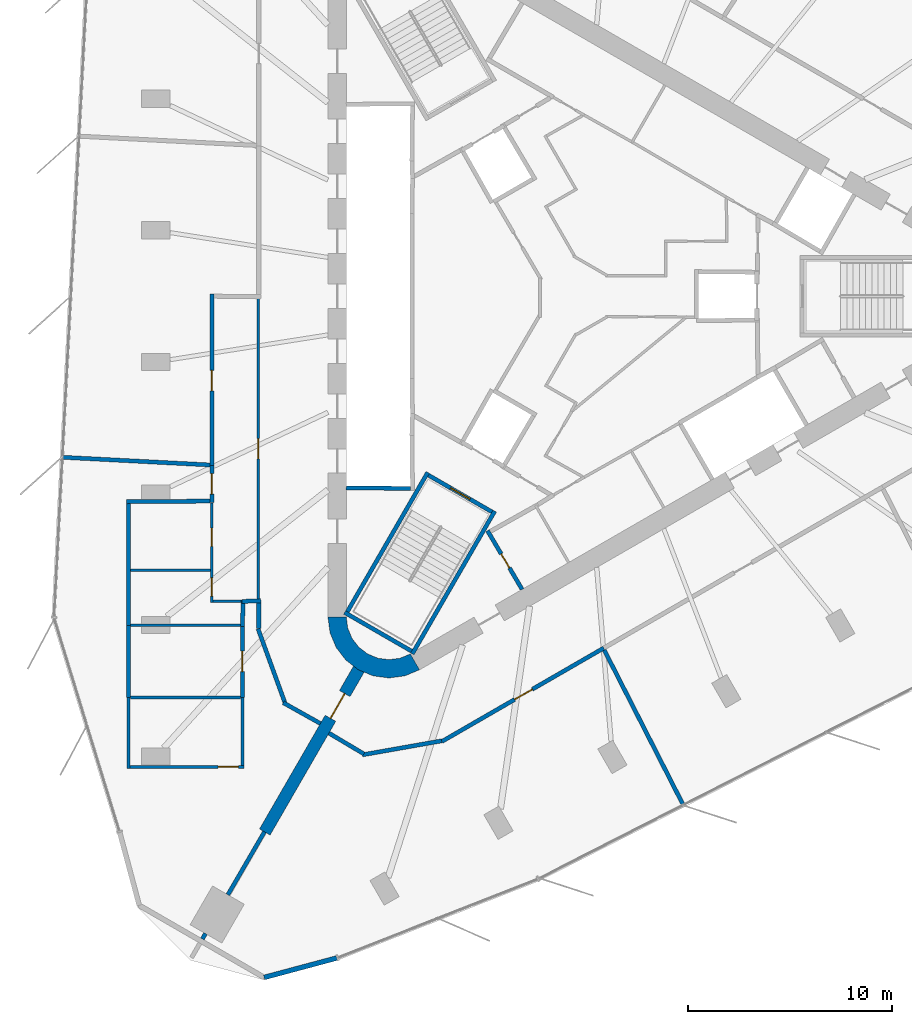
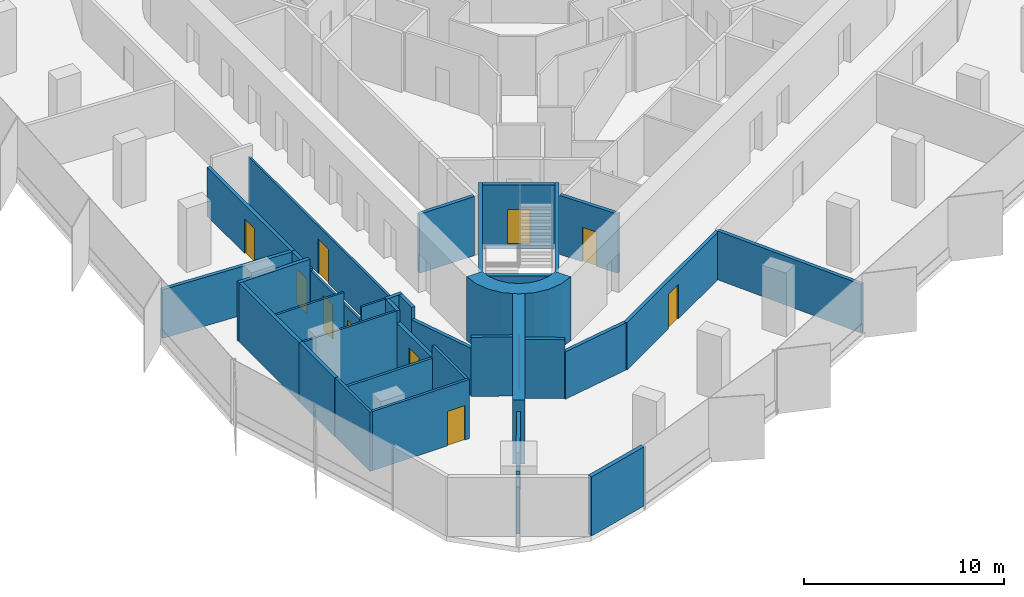
# One storey, part 8 of 13: 36 walls, 11 doors, 11 openings.
"""IFC4 building model written with IfcOpenShell, lengths in metres."""

from ifc_helpers import new_model, si_unit, direction, frame, frame_2d, origin, place, context, subcontext, project, spatial, polyline, rectangle, outline, extrude, material, layer, layer_set, type_object, element, fill, save


model = new_model("IFC4")

# Units and contexts
model_context = context("Model", 3, precision=1e-05, world=origin(), true_north=direction((0.0, 1.0)))
body_context = subcontext(model_context, "Body", "Model", "MODEL_VIEW")
ifc_project = project(units=[si_unit("LENGTHUNIT", "METRE"), si_unit("AREAUNIT", "SQUARE_METRE"), si_unit("VOLUMEUNIT", "CUBIC_METRE"), si_unit("PLANEANGLEUNIT", "RADIAN"), si_unit("MASSUNIT", "GRAM", prefix="KILO")], contexts=[model_context])

# Site, building, storey
site_placement = place(None, origin())
site = spatial("IfcSite", under=ifc_project, at=site_placement, CompositionType="ELEMENT")
building_placement = place(site_placement, origin())
building = spatial("IfcBuilding", under=site, at=building_placement, Name="Tanit Gate Tower", CompositionType="ELEMENT")
storey_placement = place(building_placement, frame((0.0, 0.0, 318.199951171875)))
storey = spatial("IfcBuildingStorey", under=building, at=storey_placement, Name="L71", CompositionType="ELEMENT", Elevation=318.199951171875)

# Wall, opening, door
ifc_material_1 = material(Name="Concrete C40/50", Category="concrete")
ifc_layer_1 = layer(ifc_material_1, 0.60009765625)
ifc_layer_set_1 = layer_set([ifc_layer_1], Name="BUTTRESS FIN 600 C40/50")
wall_type_1 = type_object("IfcWallType", Name="BUTTRESS FIN 600 C40/50", PredefinedType="SHEAR", material=ifc_layer_set_1)
wall_1_placement = place(storey_placement, frame((-10.574951171875, -18.31640625, 0.0), z_axis=(0.0, 0.0, 1.0), x_axis=(-0.500009446655, -0.866019949687, 0.0)))
wall_1 = element("IfcWall", 1, at=wall_1_placement, inside=storey, type_object=wall_type_1, Name="BUTTRESS FIN", PredefinedType="SHEAR", context=body_context, shape_type="SweptSolid", body=[
    extrude(rectangle(XDim=9.253662109375, YDim=0.60009765625, at=frame_2d((4.626953125, 0.0))), origin(), (0.0, 0.0, 1.0), 3.900146484375),
])
opening_1_placement = place(wall_1_placement, frame((1.39990234375, 0.0, 0.0)))
opening_1 = element("IfcOpeningElement", 2, at=opening_1_placement, cuts=wall_1, Name="Opening P14-S19-F-SW-1", PredefinedType="OPENING", context=body_context, shape_type="SweptSolid", body=[
    extrude(rectangle(XDim=1.39990234375, YDim=2.39990234375, at=frame_2d((0.699951171875, 1.199951171875))), frame((0.0, 0.31005859375, 0.0), z_axis=(0.0, -1.0, 0.0), x_axis=(1.0, 0.0, 0.0)), (0.0, 0.0, 1.0), 0.6201171875),
])
ifc_material_2 = material(Name="Timber door leaf", Category="wood")
door_type_1 = type_object("IfcDoorType", Name="INT-DOOR-FIN-PAIR-1400", OperationType="NOTDEFINED", PredefinedType="NOTDEFINED", material=ifc_material_2)
door_1_placement = place(opening_1_placement, origin())
door_1 = element("IfcDoor", 3, at=door_1_placement, inside=storey, type_object=door_type_1, Name="Door P14-S19-F-SW-1", OperationType="DOUBLE_DOOR_SINGLE_SWING", OverallHeight=2.39990234375, OverallWidth=1.39990234375, PredefinedType="NOTDEFINED", context=body_context, shape_type="SweptSolid", body=[
    extrude(rectangle(XDim=1.39990234375, YDim=2.39990234375, at=frame_2d((0.699951171875, 1.199951171875))), frame((0.0, 0.02490234375, 0.0), z_axis=(0.0, -1.0, 0.0), x_axis=(1.0, 0.0, 0.0)), (0.0, 0.0, 1.0), 0.050048828125),
])
fill(opening_1, door_1)

# Walls
ifc_material_3 = material(Name="Concrete C40/50", Category="concrete")
ifc_layer_2 = layer(ifc_material_3, 0.89990234375)
ifc_layer_set_2 = layer_set([ifc_layer_2], Name="CORE WALL 900 C40/50")
wall_type_2 = type_object("IfcWallType", Name="CORE WALL 900 C40/50", PredefinedType="SHEAR", material=ifc_layer_set_2)
wall_2_placement = place(storey_placement, origin())
element("IfcWall", 4, at=wall_2_placement, inside=storey, type_object=wall_type_2, Name="CORE WALL CORNER", PredefinedType="SHEAR", context=body_context, shape_type="SweptSolid", body=[
    extrude(outline(polyline([(-12.10009765625, -15.76171875), (-11.997802734375, -16.5380859375), (-11.697998046875, -17.26171875), (-11.22119140625, -17.883056640625), (-10.60009765625, -18.359619140625), (-9.87646484375, -18.659423828125), (-9.10009765625, -18.76171875), (-8.323486328125, -18.659423828125), (-7.60009765625, -18.359619140625), (-8.050048828125, -17.580322265625), (-8.556396484375, -17.7900390625), (-9.10009765625, -17.86181640625), (-9.6435546875, -17.7900390625), (-10.14990234375, -17.580322265625), (-10.5849609375, -17.24658203125), (-10.918701171875, -16.811767578125), (-11.12841796875, -16.30517578125), (-11.199951171875, -15.76171875), (-12.10009765625, -15.76171875)])), origin(), (0.0, 0.0, 1.0), 3.900146484375),
])
ifc_material_4 = material(Name="Concrete C30/37 with bronze anodised aluminium cladding", Category="concrete")
ifc_layer_3 = layer(ifc_material_4, 0.239990234375)
ifc_layer_set_3 = layer_set([ifc_layer_3], Name="Facade wall bronze clad 240")
wall_type_3 = type_object("IfcWallType", Name="Facade wall bronze clad 240", PredefinedType="SOLIDWALL", material=ifc_layer_set_3)
wall_3_placement = place(storey_placement, frame((-15.2333984375, -33.476806640625, 0.0), z_axis=(0.0, 0.0, 1.0), x_axis=(0.965938323568, 0.258772400119, 0.0)))
element("IfcWall", 5, at=wall_3_placement, inside=storey, type_object=wall_type_3, Name="Bronze-clad facade wall L71 SW.arc3", PredefinedType="SOLIDWALL", context=body_context, shape_type="SweptSolid", body=[
    extrude(rectangle(XDim=3.696533203125, YDim=0.239990234375, at=frame_2d((1.84814453125, 0.0))), origin(), (0.0, 0.0, 1.0), 3.60009765625),
])

# Wall, opening, door
ifc_material_5 = material(Name="Fire-rated gypsum board partition")
ifc_layer_4 = layer(ifc_material_5, 0.199951171875)
ifc_layer_set_4 = layer_set([ifc_layer_4], Name="INT-WALL-COMPARTMENT")
wall_type_4 = type_object("IfcWallType", Name="INT-WALL-COMPARTMENT", PredefinedType="PARTITIONING", material=ifc_layer_set_4)
wall_4_placement = place(storey_placement, frame((-4.259765625, -11.523681640625, 0.0), z_axis=(0.0, 0.0, 1.0), x_axis=(0.507997497166, -0.861358544901, 0.0)))
wall_4 = element("IfcWall", 6, at=wall_4_placement, inside=storey, type_object=wall_type_4, Name="Wall Compartment W053", PredefinedType="PARTITIONING", context=body_context, shape_type="SweptSolid", body=[
    extrude(rectangle(XDim=3.350341796875, YDim=0.199951171875, at=frame_2d((1.67529296875, 0.0))), origin(), (0.0, 0.0, 1.0), 3.60009765625),
])
opening_2_placement = place(wall_4_placement, frame((1.3251953125, 0.0, 0.0)))
opening_2 = element("IfcOpeningElement", 7, at=opening_2_placement, cuts=wall_4, Name="Opening R08-S19-16", PredefinedType="OPENING", context=body_context, shape_type="SweptSolid", body=[
    extrude(rectangle(XDim=0.800048828125, YDim=2.10009765625, at=frame_2d((0.39990234375, 1.050048828125))), frame((0.0, 0.10986328125, 0.0), z_axis=(0.0, -1.0, 0.0), x_axis=(1.0, 0.0, 0.0)), (0.0, 0.0, 1.0), 0.219970703125),
])
ifc_material_6 = material(Name="Timber door leaf", Category="wood")
door_type_2 = type_object("IfcDoorType", Name="INT-DOOR-RISER-800", OperationType="NOTDEFINED", PredefinedType="USERDEFINED", material=ifc_material_6)
door_2_placement = place(opening_2_placement, origin())
door_2 = element("IfcDoor", 8, at=door_2_placement, inside=storey, type_object=door_type_2, Name="Door R08-S19-16", ObjectType="FIRE DOOR", OperationType="SINGLE_SWING_LEFT", OverallHeight=2.10009765625, OverallWidth=0.800048828125, PredefinedType="USERDEFINED", context=body_context, shape_type="SweptSolid", body=[
    extrude(rectangle(XDim=0.800048828125, YDim=2.10009765625, at=frame_2d((0.39990234375, 1.050048828125))), frame((0.0, 0.02490234375, 0.0), z_axis=(0.0, -1.0, 0.0), x_axis=(1.0, 0.0, 0.0)), (0.0, 0.0, 1.0), 0.050048828125),
])
fill(opening_2, door_2)

wall_5_placement = place(storey_placement, frame((-17.800048828125, 0.10009765625, 0.0), z_axis=(0.0, 0.0, 1.0), x_axis=(0.0, -1.0, 0.0)))
wall_5 = element("IfcWall", 9, at=wall_5_placement, inside=storey, type_object=wall_type_4, Name="Wall Compartment W092", PredefinedType="PARTITIONING", context=body_context, shape_type="SweptSolid", body=[
    extrude(rectangle(XDim=8.422607421875, YDim=0.199951171875, at=frame_2d((4.21142578125, 0.0))), origin(), (0.0, 0.0, 1.0), 2.969970703125),
])
opening_3_placement = place(wall_5_placement, frame((3.75, 0.0, 0.0)))
opening_3 = element("IfcOpeningElement", 10, at=opening_3_placement, cuts=wall_5, Name="Opening F10-S19-26", PredefinedType="OPENING", context=body_context, shape_type="SweptSolid", body=[
    extrude(rectangle(XDim=1.0, YDim=2.10009765625, at=frame_2d((0.5, 1.050048828125))), frame((0.0, 0.10986328125, 0.0), z_axis=(0.0, -1.0, 0.0), x_axis=(1.0, 0.0, 0.0)), (0.0, 0.0, 1.0), 0.219970703125),
])
ifc_material_7 = material(Name="Fire-rated steel door leaf", Category="steel")
door_type_3 = type_object("IfcDoorType", Name="INT-DOOR-FIRE-1000", OperationType="NOTDEFINED", PredefinedType="USERDEFINED", material=ifc_material_7)
door_3_placement = place(opening_3_placement, origin())
door_3 = element("IfcDoor", 11, at=door_3_placement, inside=storey, type_object=door_type_3, Name="Door F10-S19-26", ObjectType="FIRE DOOR", OperationType="SINGLE_SWING_RIGHT", OverallHeight=2.10009765625, OverallWidth=1.0, PredefinedType="USERDEFINED", context=body_context, shape_type="SweptSolid", body=[
    extrude(rectangle(XDim=1.0, YDim=2.10009765625, at=frame_2d((0.5, 1.050048828125))), frame((0.0, 0.02490234375, 0.0), z_axis=(0.0, -1.0, 0.0), x_axis=(1.0, 0.0, 0.0)), (0.0, 0.0, 1.0), 0.050048828125),
])
fill(opening_3, door_3)

wall_6_placement = place(storey_placement, frame((-17.800048828125, -8.322509765625, 0.0), z_axis=(0.0, 0.0, 1.0), x_axis=(0.0, -1.0, 0.0)))
wall_6 = element("IfcWall", 12, at=wall_6_placement, inside=storey, type_object=wall_type_4, Name="Wall Compartment W090", PredefinedType="PARTITIONING", context=body_context, shape_type="SweptSolid", body=[
    extrude(rectangle(XDim=1.807373046875, YDim=0.199951171875, at=frame_2d((0.90380859375, 0.0))), origin(), (0.0, 0.0, 1.0), 2.969970703125),
])
opening_4_placement = place(wall_6_placement, frame((0.40380859375, 0.0, 0.0)))
opening_4 = element("IfcOpeningElement", 13, at=opening_4_placement, cuts=wall_6, Name="Opening F10-S19-25", PredefinedType="OPENING", context=body_context, shape_type="SweptSolid", body=[
    extrude(rectangle(XDim=1.0, YDim=2.10009765625, at=frame_2d((0.5, 1.050048828125))), frame((0.0, 0.10986328125, 0.0), z_axis=(0.0, -1.0, 0.0), x_axis=(1.0, 0.0, 0.0)), (0.0, 0.0, 1.0), 0.219970703125),
])
door_4_placement = place(opening_4_placement, origin())
door_4 = element("IfcDoor", 14, at=door_4_placement, inside=storey, type_object=door_type_3, Name="Door F10-S19-25", ObjectType="FIRE DOOR", OperationType="SINGLE_SWING_RIGHT", OverallHeight=2.10009765625, OverallWidth=1.0, PredefinedType="USERDEFINED", context=body_context, shape_type="SweptSolid", body=[
    extrude(rectangle(XDim=1.0, YDim=2.10009765625, at=frame_2d((0.5, 1.050048828125))), frame((0.0, 0.02490234375, 0.0), z_axis=(0.0, -1.0, 0.0), x_axis=(1.0, 0.0, 0.0)), (0.0, 0.0, 1.0), 0.050048828125),
])
fill(opening_4, door_4)

# Walls
wall_7_placement = place(storey_placement, frame((-16.330078125, -15.0, 0.0), z_axis=(0.0, 0.0, 1.0), x_axis=(0.999344339616, 0.036206227059, 0.0)))
element("IfcWall", 15, at=wall_7_placement, inside=storey, type_object=wall_type_4, Name="Wall Compartment W091", PredefinedType="PARTITIONING", context=body_context, shape_type="SweptSolid", body=[
    extrude(rectangle(XDim=0.930419921875, YDim=0.199951171875, at=frame_2d((0.46533203125, 0.0))), origin(), (0.0, 0.0, 1.0), 3.60009765625),
])
wall_8_placement = place(storey_placement, frame((-14.293212890625, -19.9775390625, 0.0), z_axis=(0.0, 0.0, 1.0), x_axis=(0.872510000486, -0.48859625362, 0.0)))
element("IfcWall", 16, at=wall_8_placement, inside=storey, type_object=wall_type_4, Name="Wall Compartment W097", PredefinedType="PARTITIONING", context=body_context, shape_type="SweptSolid", body=[
    extrude(rectangle(XDim=2.089599609375, YDim=0.199951171875, at=frame_2d((1.044921875, 0.0))), origin(), (0.0, 0.0, 1.0), 3.60009765625),
])
wall_9_placement = place(storey_placement, frame((-15.5341796875, -16.346435546875, 0.0), z_axis=(0.0, 0.0, 1.0), x_axis=(0.342001008711, -0.939699584996, 0.0)))
element("IfcWall", 17, at=wall_9_placement, inside=storey, type_object=wall_type_4, Name="Wall Compartment W098", PredefinedType="PARTITIONING", context=body_context, shape_type="SweptSolid", body=[
    extrude(rectangle(XDim=3.87548828125, YDim=0.199951171875, at=frame_2d((1.937744140625, 0.0))), origin(), (0.0, 0.0, 1.0), 2.880126953125),
])
wall_10_placement = place(storey_placement, frame((-15.5, -15.070068359375, 0.0), z_axis=(0.0, 0.0, 1.0), x_axis=(0.0, -1.0, 0.0)))
element("IfcWall", 18, at=wall_10_placement, inside=storey, type_object=wall_type_4, Name="Wall Compartment W099", PredefinedType="PARTITIONING", context=body_context, shape_type="SweptSolid", body=[
    extrude(rectangle(XDim=1.2705078125, YDim=0.199951171875, at=frame_2d((0.63525390625, 0.0))), origin(), (0.0, 0.0, 1.0), 3.60009765625),
])

# Wall, opening, door
wall_11_placement = place(storey_placement, frame((-6.505126953125, -21.884521484375, 0.0), z_axis=(0.0, 0.0, 1.0), x_axis=(0.8660236234, 0.500003083703, 0.0)))
wall_11 = element("IfcWall", 19, at=wall_11_placement, inside=storey, type_object=wall_type_4, Name="Wall Compartment W114", PredefinedType="PARTITIONING", context=body_context, shape_type="SweptSolid", body=[
    extrude(rectangle(XDim=9.1875, YDim=0.199951171875, at=frame_2d((4.59375, 0.0))), origin(), (0.0, 0.0, 1.0), 2.880126953125),
])
opening_5_placement = place(wall_11_placement, frame((4.13232421875, 0.0, 0.0)))
opening_5 = element("IfcOpeningElement", 20, at=opening_5_placement, cuts=wall_11, Name="Opening F10-S19-32", PredefinedType="OPENING", context=body_context, shape_type="SweptSolid", body=[
    extrude(rectangle(XDim=1.0, YDim=2.10009765625, at=frame_2d((0.5, 1.050048828125))), frame((0.0, 0.10986328125, 0.0), z_axis=(0.0, -1.0, 0.0), x_axis=(1.0, 0.0, 0.0)), (0.0, 0.0, 1.0), 0.219970703125),
])
door_5_placement = place(opening_5_placement, origin())
door_5 = element("IfcDoor", 21, at=door_5_placement, inside=storey, type_object=door_type_3, Name="Door F10-S19-32", ObjectType="FIRE DOOR", OperationType="SINGLE_SWING_LEFT", OverallHeight=2.10009765625, OverallWidth=1.0, PredefinedType="USERDEFINED", context=body_context, shape_type="SweptSolid", body=[
    extrude(rectangle(XDim=1.0, YDim=2.10009765625, at=frame_2d((0.5, 1.050048828125))), frame((0.0, 0.02490234375, 0.0), z_axis=(0.0, -1.0, 0.0), x_axis=(1.0, 0.0, 0.0)), (0.0, 0.0, 1.0), 0.050048828125),
])
fill(opening_5, door_5)

# Walls
wall_12_placement = place(storey_placement, frame((-10.405517578125, -22.53759765625, 0.0), z_axis=(0.0, 0.0, 1.0), x_axis=(0.98480284819, 0.173675991999, 0.0)))
element("IfcWall", 22, at=wall_12_placement, inside=storey, type_object=wall_type_4, Name="Wall Compartment W115", PredefinedType="PARTITIONING", context=body_context, shape_type="SweptSolid", body=[
    extrude(rectangle(XDim=3.94873046875, YDim=0.199951171875, at=frame_2d((1.974365234375, 0.0))), origin(), (0.0, 0.0, 1.0), 2.880126953125),
])
wall_13_placement = place(storey_placement, frame((-12.05029296875, -21.4716796875, 0.0), z_axis=(0.0, 0.0, 1.0), x_axis=(0.859577966481, -0.511004617924, 0.0)))
element("IfcWall", 23, at=wall_13_placement, inside=storey, type_object=wall_type_4, Name="Wall Compartment W116", PredefinedType="PARTITIONING", context=body_context, shape_type="SweptSolid", body=[
    extrude(rectangle(XDim=1.99755859375, YDim=0.199951171875, at=frame_2d((0.998779296875, 0.0))), origin(), (0.0, 0.0, 1.0), 3.60009765625),
])
wall_14_placement = place(storey_placement, frame((-25.14794921875, -7.917236328125, 0.0), z_axis=(0.0, 0.0, 1.0), x_axis=(0.998646853221, -0.052004447423, 0.0)))
element("IfcWall", 24, at=wall_14_placement, inside=storey, type_object=wall_type_4, Name="Wall Compartment W117", PredefinedType="PARTITIONING", context=body_context, shape_type="SweptSolid", body=[
    extrude(rectangle(XDim=7.2578125, YDim=0.199951171875, at=frame_2d((3.62890625, 0.0))), origin(), (0.0, 0.0, 1.0), 2.969970703125),
])
wall_15_placement = place(storey_placement, frame((-18.117431640625, -31.3203125, 0.0), z_axis=(0.0, 0.0, 1.0), x_axis=(-0.500091252813, -0.865972712538, 0.0)))
element("IfcWall", 25, at=wall_15_placement, inside=storey, type_object=wall_type_4, Name="Wall Compartment W118", PredefinedType="PARTITIONING", context=body_context, shape_type="SweptSolid", body=[
    extrude(rectangle(XDim=0.3056640625, YDim=0.199951171875, at=frame_2d((0.15283203125, 0.0))), origin(), (0.0, 0.0, 1.0), 3.60009765625),
])
wall_16_placement = place(storey_placement, frame((-15.2177734375, -26.321044921875, 0.0), z_axis=(0.0, 0.0, 1.0), x_axis=(-0.50277219784, -0.864418947663, 0.0)))
element("IfcWall", 26, at=wall_16_placement, inside=storey, type_object=wall_type_4, Name="Wall Compartment W119", PredefinedType="PARTITIONING", context=body_context, shape_type="SweptSolid", body=[
    extrude(rectangle(XDim=3.579345703125, YDim=0.199951171875, at=frame_2d((1.78955078125, 0.0))), origin(), (0.0, 0.0, 1.0), 3.170166015625),
])
wall_17_placement = place(storey_placement, frame((-17.89990234375, -10.07080078125, 0.0), z_axis=(0.0, 0.0, 1.0), x_axis=(-0.999973048838, -0.007341770728, 0.0)))
element("IfcWall", 27, at=wall_17_placement, inside=storey, type_object=wall_type_4, Name="Wall Compartment W120", PredefinedType="PARTITIONING", context=body_context, shape_type="SweptSolid", body=[
    extrude(rectangle(XDim=4.090087890625, YDim=0.199951171875, at=frame_2d((2.044921875, 0.0))), origin(), (0.0, 0.0, 1.0), 3.60009765625),
])
wall_18_placement = place(storey_placement, frame((-21.889892578125, -10.199951171875, 0.0), z_axis=(0.0, 0.0, 1.0), x_axis=(0.0, -1.0, 0.0)))
element("IfcWall", 28, at=wall_18_placement, inside=storey, type_object=wall_type_4, Name="Wall Compartment W121", PredefinedType="PARTITIONING", context=body_context, shape_type="SweptSolid", body=[
    extrude(rectangle(XDim=5.97509765625, YDim=0.199951171875, at=frame_2d((2.987548828125, 0.0))), origin(), (0.0, 0.0, 1.0), 3.60009765625),
])
wall_19_placement = place(storey_placement, frame((-21.889892578125, -16.175048828125, 0.0), z_axis=(0.0, 0.0, 1.0), x_axis=(0.0, -1.0, 0.0)))
element("IfcWall", 29, at=wall_19_placement, inside=storey, type_object=wall_type_4, Name="Wall Compartment W124", PredefinedType="PARTITIONING", context=body_context, shape_type="SweptSolid", body=[
    extrude(rectangle(XDim=3.540283203125, YDim=0.199951171875, at=frame_2d((1.77001953125, 0.0))), origin(), (0.0, 0.0, 1.0), 3.60009765625),
])
wall_20_placement = place(storey_placement, frame((-16.2685546875, -14.93994140625, 0.0), z_axis=(0.0, 0.0, 1.0), x_axis=(-0.024314076851, -0.999704369135, 0.0)))
element("IfcWall", 30, at=wall_20_placement, inside=storey, type_object=wall_type_4, Name="Wall Compartment W123", PredefinedType="PARTITIONING", context=body_context, shape_type="SweptSolid", body=[
    extrude(rectangle(XDim=1.29541015625, YDim=0.199951171875, at=frame_2d((0.647705078125, 0.0))), origin(), (0.0, 0.0, 1.0), 3.60009765625),
])

# Wall, opening, door
wall_21_placement = place(storey_placement, frame((-16.300048828125, -16.114990234375, 0.0), z_axis=(0.0, 0.0, 1.0), x_axis=(0.0, -1.0, 0.0)))
wall_21 = element("IfcWall", 31, at=wall_21_placement, inside=storey, type_object=wall_type_4, Name="Wall Compartment W125", PredefinedType="PARTITIONING", context=body_context, shape_type="SweptSolid", body=[
    extrude(rectangle(XDim=3.600341796875, YDim=0.199951171875, at=frame_2d((1.80029296875, 0.0))), origin(), (0.0, 0.0, 1.0), 2.880126953125),
])
opening_6_placement = place(wall_21_placement, frame((1.330078125, 0.0, 0.0)))
opening_6 = element("IfcOpeningElement", 32, at=opening_6_placement, cuts=wall_21, Name="Opening F10-S19-23", PredefinedType="OPENING", context=body_context, shape_type="SweptSolid", body=[
    extrude(rectangle(XDim=1.0, YDim=2.10009765625, at=frame_2d((0.5, 1.050048828125))), frame((0.0, 0.10986328125, 0.0), z_axis=(0.0, -1.0, 0.0), x_axis=(1.0, 0.0, 0.0)), (0.0, 0.0, 1.0), 0.219970703125),
])
door_6_placement = place(opening_6_placement, origin())
door_6 = element("IfcDoor", 33, at=door_6_placement, inside=storey, type_object=door_type_3, Name="Door F10-S19-23", ObjectType="FIRE DOOR", OperationType="SINGLE_SWING_RIGHT", OverallHeight=2.10009765625, OverallWidth=1.0, PredefinedType="USERDEFINED", context=body_context, shape_type="SweptSolid", body=[
    extrude(rectangle(XDim=1.0, YDim=2.10009765625, at=frame_2d((0.5, 1.050048828125))), frame((0.0, 0.02490234375, 0.0), z_axis=(0.0, -1.0, 0.0), x_axis=(1.0, 0.0, 0.0)), (0.0, 0.0, 1.0), 0.050048828125),
])
fill(opening_6, door_6)

# Wall
wall_22_placement = place(storey_placement, frame((5.35595703125, -24.997314453125, 0.0), z_axis=(0.0, 0.0, 1.0), x_axis=(-0.454291135593, 0.890853278672, 0.0)))
element("IfcWall", 34, at=wall_22_placement, inside=storey, type_object=wall_type_4, Name="Wall Compartment W136", PredefinedType="PARTITIONING", context=body_context, shape_type="SweptSolid", body=[
    extrude(rectangle(XDim=8.537841796875, YDim=0.199951171875, at=frame_2d((4.26904296875, 0.0))), origin(), (0.0, 0.0, 1.0), 2.969970703125),
])

# Wall, opening, door
ifc_material_8 = material(Name="Gypsum board partition")
ifc_layer_5 = layer(ifc_material_8, 0.1201171875)
ifc_layer_set_5 = layer_set([ifc_layer_5], Name="INT-WALL-PARTITION")
wall_type_5 = type_object("IfcWallType", Name="INT-WALL-PARTITION", PredefinedType="PARTITIONING", material=ifc_layer_set_5)
wall_23_placement = place(storey_placement, frame((-15.530029296875, 0.0, 0.0), z_axis=(0.0, 0.0, 1.0), x_axis=(0.0, -1.0, 0.0)))
wall_23 = element("IfcWall", 35, at=wall_23_placement, inside=storey, type_object=wall_type_5, Name="Wall Partition W089", PredefinedType="PARTITIONING", context=body_context, shape_type="SweptSolid", body=[
    extrude(rectangle(XDim=15.0, YDim=0.1201171875, at=frame_2d((7.5, 0.0))), origin(), (0.0, 0.0, 1.0), 2.880126953125),
])
opening_7_placement = place(wall_23_placement, frame((7.0, 0.0, 0.0)))
opening_7 = element("IfcOpeningElement", 36, at=opening_7_placement, cuts=wall_23, Name="Opening D10-S19-20", PredefinedType="OPENING", context=body_context, shape_type="SweptSolid", body=[
    extrude(rectangle(XDim=1.0, YDim=2.10009765625, at=frame_2d((0.5, 1.050048828125))), frame((0.0, 0.070068359375, 0.0), z_axis=(0.0, -1.0, 0.0), x_axis=(1.0, 0.0, 0.0)), (0.0, 0.0, 1.0), 0.14013671875),
])
ifc_material_9 = material(Name="Timber door leaf", Category="wood")
door_type_4 = type_object("IfcDoorType", Name="INT-DOOR-SINGLE-1000", OperationType="NOTDEFINED", PredefinedType="NOTDEFINED", material=ifc_material_9)
door_7_placement = place(opening_7_placement, origin())
door_7 = element("IfcDoor", 37, at=door_7_placement, inside=storey, type_object=door_type_4, Name="Door D10-S19-20", OperationType="SINGLE_SWING_LEFT", OverallHeight=2.10009765625, OverallWidth=1.0, PredefinedType="NOTDEFINED", context=body_context, shape_type="SweptSolid", body=[
    extrude(rectangle(XDim=1.0, YDim=2.10009765625, at=frame_2d((0.5, 1.050048828125))), frame((0.0, 0.02490234375, 0.0), z_axis=(0.0, -1.0, 0.0), x_axis=(1.0, 0.0, 0.0)), (0.0, 0.0, 1.0), 0.050048828125),
])
fill(opening_7, door_7)

# Wall, openings, doors
wall_24_placement = place(storey_placement, frame((-17.800048828125, -10.169921875, 0.0), z_axis=(0.0, 0.0, 1.0), x_axis=(0.0, -1.0, 0.0)))
wall_24 = element("IfcWall", 38, at=wall_24_placement, inside=storey, type_object=wall_type_5, Name="Wall Partition W094", PredefinedType="PARTITIONING", context=body_context, shape_type="SweptSolid", body=[
    extrude(rectangle(XDim=4.89013671875, YDim=0.1201171875, at=frame_2d((2.445068359375, 0.0))), origin(), (0.0, 0.0, 1.0), 2.880126953125),
])
opening_8_placement = place(wall_24_placement, frame((1.226318359375, 0.0, 0.0)))
opening_8 = element("IfcOpeningElement", 39, at=opening_8_placement, cuts=wall_24, Name="Opening D09-S19-21", PredefinedType="OPENING", context=body_context, shape_type="SweptSolid", body=[
    extrude(rectangle(XDim=0.89990234375, YDim=2.10009765625, at=frame_2d((0.449951171875, 1.050048828125))), frame((0.0, 0.070068359375, 0.0), z_axis=(0.0, -1.0, 0.0), x_axis=(1.0, 0.0, 0.0)), (0.0, 0.0, 1.0), 0.14013671875),
])
opening_9_placement = place(wall_24_placement, frame((3.67138671875, 0.0, 0.0)))
opening_9 = element("IfcOpeningElement", 40, at=opening_9_placement, cuts=wall_24, Name="Opening D09-S19-22", PredefinedType="OPENING", context=body_context, shape_type="SweptSolid", body=[
    extrude(rectangle(XDim=0.89990234375, YDim=2.10009765625, at=frame_2d((0.449951171875, 1.050048828125))), frame((0.0, 0.070068359375, 0.0), z_axis=(0.0, -1.0, 0.0), x_axis=(1.0, 0.0, 0.0)), (0.0, 0.0, 1.0), 0.14013671875),
])
ifc_material_10 = material(Name="Timber door leaf", Category="wood")
door_type_5 = type_object("IfcDoorType", Name="INT-DOOR-SINGLE-900", OperationType="NOTDEFINED", PredefinedType="NOTDEFINED", material=ifc_material_10)
door_8_placement = place(opening_8_placement, origin())
door_8 = element("IfcDoor", 41, at=door_8_placement, inside=storey, type_object=door_type_5, Name="Door D09-S19-21", OperationType="SINGLE_SWING_LEFT", OverallHeight=2.10009765625, OverallWidth=0.89990234375, PredefinedType="NOTDEFINED", context=body_context, shape_type="SweptSolid", body=[
    extrude(rectangle(XDim=0.89990234375, YDim=2.10009765625, at=frame_2d((0.449951171875, 1.050048828125))), frame((0.0, 0.02490234375, 0.0), z_axis=(0.0, -1.0, 0.0), x_axis=(1.0, 0.0, 0.0)), (0.0, 0.0, 1.0), 0.050048828125),
])
fill(opening_8, door_8)
door_9_placement = place(opening_9_placement, origin())
door_9 = element("IfcDoor", 42, at=door_9_placement, inside=storey, type_object=door_type_5, Name="Door D09-S19-22", OperationType="SINGLE_SWING_LEFT", OverallHeight=2.10009765625, OverallWidth=0.89990234375, PredefinedType="NOTDEFINED", context=body_context, shape_type="SweptSolid", body=[
    extrude(rectangle(XDim=0.89990234375, YDim=2.10009765625, at=frame_2d((0.449951171875, 1.050048828125))), frame((0.0, 0.02490234375, 0.0), z_axis=(0.0, -1.0, 0.0), x_axis=(1.0, 0.0, 0.0)), (0.0, 0.0, 1.0), 0.050048828125),
])
fill(opening_9, door_9)

# Walls
wall_25_placement = place(storey_placement, frame((-17.739990234375, -15.0, 0.0), z_axis=(0.0, 0.0, 1.0), x_axis=(1.0, 0.0, 0.0)))
element("IfcWall", 43, at=wall_25_placement, inside=storey, type_object=wall_type_5, Name="Wall Partition W095", PredefinedType="PARTITIONING", context=body_context, shape_type="SweptSolid", body=[
    extrude(rectangle(XDim=1.369873046875, YDim=0.1201171875, at=frame_2d((0.68505859375, 0.0))), origin(), (0.0, 0.0, 1.0), 3.60009765625),
])
wall_26_placement = place(storey_placement, frame((-21.7900390625, -13.462890625, 0.0), z_axis=(0.0, 0.0, 1.0), x_axis=(1.0, 0.0, 0.0)))
element("IfcWall", 44, at=wall_26_placement, inside=storey, type_object=wall_type_5, Name="Wall Partition W137", PredefinedType="PARTITIONING", context=body_context, shape_type="SweptSolid", body=[
    extrude(rectangle(XDim=3.929931640625, YDim=0.1201171875, at=frame_2d((1.96484375, 0.0))), origin(), (0.0, 0.0, 1.0), 3.60009765625),
])
wall_27_placement = place(storey_placement, frame((-16.39990234375, -16.175048828125, 0.0), z_axis=(0.0, 0.0, 1.0), x_axis=(-1.0, 0.0, 0.0)))
element("IfcWall", 45, at=wall_27_placement, inside=storey, type_object=wall_type_5, Name="Wall Partition W138", PredefinedType="PARTITIONING", context=body_context, shape_type="SweptSolid", body=[
    extrude(rectangle(XDim=5.39013671875, YDim=0.1201171875, at=frame_2d((2.695068359375, 0.0))), origin(), (0.0, 0.0, 1.0), 3.60009765625),
])
ifc_material_11 = material(Name="Fire-rated gypsum board partition")
ifc_layer_6 = layer(ifc_material_11, 0.14990234375)
ifc_layer_set_6 = layer_set([ifc_layer_6], Name="INT-WALL-RISER")
wall_type_6 = type_object("IfcWallType", Name="INT-WALL-RISER", PredefinedType="PLUMBINGWALL", material=ifc_layer_set_6)
wall_28_placement = place(storey_placement, frame((-21.889892578125, -19.71533203125, 0.0), z_axis=(0.0, 0.0, 1.0), x_axis=(0.0, -1.0, 0.0)))
element("IfcWall", 46, at=wall_28_placement, inside=storey, type_object=wall_type_6, Name="Wall Riser W126", PredefinedType="PLUMBINGWALL", context=body_context, shape_type="SweptSolid", body=[
    extrude(rectangle(XDim=3.48974609375, YDim=0.14990234375, at=frame_2d((1.744873046875, 0.0))), origin(), (0.0, 0.0, 1.0), 3.60009765625),
])

# Wall, opening, door
wall_29_placement = place(storey_placement, frame((-21.81494140625, -23.1298828125, 0.0), z_axis=(0.0, 0.0, 1.0), x_axis=(1.0, 0.0, 0.0)))
wall_29 = element("IfcWall", 47, at=wall_29_placement, inside=storey, type_object=wall_type_6, Name="Wall Riser W127", PredefinedType="PLUMBINGWALL", context=body_context, shape_type="SweptSolid", body=[
    extrude(rectangle(XDim=5.58984375, YDim=0.14990234375, at=frame_2d((2.794921875, 0.0))), origin(), (0.0, 0.0, 1.0), 3.60009765625),
])
opening_10_placement = place(wall_29_placement, frame((4.31494140625, 0.0, 0.0)))
opening_10 = element("IfcOpeningElement", 48, at=opening_10_placement, cuts=wall_29, Name="Opening F10-S19-24", PredefinedType="OPENING", context=body_context, shape_type="SweptSolid", body=[
    extrude(rectangle(XDim=1.0, YDim=2.10009765625, at=frame_2d((0.5, 1.050048828125))), frame((0.0, 0.0849609375, 0.0), z_axis=(0.0, -1.0, 0.0), x_axis=(1.0, 0.0, 0.0)), (0.0, 0.0, 1.0), 0.169921875),
])
door_10_placement = place(opening_10_placement, origin())
door_10 = element("IfcDoor", 49, at=door_10_placement, inside=storey, type_object=door_type_3, Name="Door F10-S19-24", ObjectType="FIRE DOOR", OperationType="SINGLE_SWING_LEFT", OverallHeight=2.10009765625, OverallWidth=1.0, PredefinedType="USERDEFINED", context=body_context, shape_type="SweptSolid", body=[
    extrude(rectangle(XDim=1.0, YDim=2.10009765625, at=frame_2d((0.5, 1.050048828125))), frame((0.0, 0.02490234375, 0.0), z_axis=(0.0, -1.0, 0.0), x_axis=(1.0, 0.0, 0.0)), (0.0, 0.0, 1.0), 0.050048828125),
])
fill(opening_10, door_10)

# Walls
wall_30_placement = place(storey_placement, frame((-16.300048828125, -19.71533203125, 0.0), z_axis=(0.0, 0.0, 1.0), x_axis=(0.0, -1.0, 0.0)))
element("IfcWall", 50, at=wall_30_placement, inside=storey, type_object=wall_type_6, Name="Wall Riser W128", PredefinedType="PLUMBINGWALL", context=body_context, shape_type="SweptSolid", body=[
    extrude(rectangle(XDim=3.339599609375, YDim=0.14990234375, at=frame_2d((1.669921875, 0.0))), origin(), (0.0, 0.0, 1.0), 3.60009765625),
])
wall_31_placement = place(storey_placement, frame((-21.7900390625, -19.722900390625, 0.0), z_axis=(0.0, 0.0, 1.0), x_axis=(1.0, 0.0, 0.0)))
element("IfcWall", 51, at=wall_31_placement, inside=storey, type_object=wall_type_6, Name="Wall Riser W139", PredefinedType="PLUMBINGWALL", context=body_context, shape_type="SweptSolid", body=[
    extrude(rectangle(XDim=5.39013671875, YDim=0.14990234375, at=frame_2d((2.695068359375, 0.0))), origin(), (0.0, 0.0, 1.0), 2.880126953125),
])
ifc_material_12 = material(Name="Gypsum shaft wall system")
ifc_layer_7 = layer(ifc_material_12, 0.199951171875)
ifc_layer_set_7 = layer_set([ifc_layer_7], Name="INT-WALL-SHAFT")
wall_type_7 = type_object("IfcWallType", Name="INT-WALL-SHAFT", PredefinedType="PLUMBINGWALL", material=ifc_layer_set_7)
wall_32_placement = place(storey_placement, frame((-8.050048828125, -9.448974609375, 0.0), z_axis=(0.0, 0.0, 1.0), x_axis=(-0.999957467379, 0.009222983926, 0.0)))
element("IfcWall", 52, at=wall_32_placement, inside=storey, type_object=wall_type_7, Name="Wall Shaft W011", PredefinedType="PLUMBINGWALL", context=body_context, shape_type="SweptSolid", body=[
    extrude(rectangle(XDim=3.150146484375, YDim=0.199951171875, at=frame_2d((1.5751953125, 0.0))), origin(), (0.0, 0.0, 1.0), 3.60009765625),
])
ifc_material_13 = material(Name="Concrete C40/50", Category="concrete")
ifc_layer_8 = layer(ifc_material_13, 0.199951171875)
ifc_layer_set_8 = layer_set([ifc_layer_8], Name="INT-WALL-STAIR")
wall_type_8 = type_object("IfcWallType", Name="INT-WALL-STAIR", PredefinedType="SHEAR", material=ifc_layer_set_8)
wall_33_placement = place(storey_placement, frame((-3.904541015625, -10.56298828125, -0.300048828125), z_axis=(0.0, 0.0, 1.0), x_axis=(-0.500012932018, -0.866017937352, 0.0)))
element("IfcWall", 53, at=wall_33_placement, inside=storey, type_object=wall_type_8, Name="Wall Stair W036", PredefinedType="SHEAR", context=body_context, shape_type="SweptSolid", body=[
    extrude(rectangle(XDim=8.099853515625, YDim=0.199951171875, at=frame_2d((4.0498046875, 0.0))), origin(), (0.0, 0.0, 1.0), 3.900146484375),
])
wall_34_placement = place(storey_placement, frame((-11.281982421875, -15.541015625, -0.300048828125), z_axis=(0.0, 0.0, 1.0), x_axis=(0.866000483506, -0.500043160704, 0.0)))
element("IfcWall", 54, at=wall_34_placement, inside=storey, type_object=wall_type_8, Name="Wall Stair W037", PredefinedType="SHEAR", context=body_context, shape_type="SweptSolid", body=[
    extrude(rectangle(XDim=3.800048828125, YDim=0.199951171875, at=frame_2d((1.89990234375, 0.0))), origin(), (0.0, 0.0, 1.0), 3.900146484375),
])
wall_35_placement = place(storey_placement, frame((-7.195556640625, -8.662841796875, -0.300048828125), z_axis=(0.0, 0.0, 1.0), x_axis=(-0.499997992926, -0.866026562566, 0.0)))
element("IfcWall", 55, at=wall_35_placement, inside=storey, type_object=wall_type_8, Name="Wall Stair W038", PredefinedType="SHEAR", context=body_context, shape_type="SweptSolid", body=[
    extrude(rectangle(XDim=7.89990234375, YDim=0.199951171875, at=frame_2d((3.949951171875, 0.0))), origin(), (0.0, 0.0, 1.0), 3.900146484375),
])

# Wall, opening, door
wall_36_placement = place(storey_placement, frame((-4.041259765625, -10.599365234375, -0.300048828125), z_axis=(0.0, 0.0, 1.0), x_axis=(-0.866047807691, 0.499961193289, 0.0)))
wall_36 = element("IfcWall", 56, at=wall_36_placement, inside=storey, type_object=wall_type_8, Name="Wall Stair W039", PredefinedType="SHEAR", context=body_context, shape_type="SweptSolid", body=[
    extrude(rectangle(XDim=3.599853515625, YDim=0.199951171875, at=frame_2d((1.7998046875, 0.0))), origin(), (0.0, 0.0, 1.0), 3.900146484375),
])
opening_11_placement = place(wall_36_placement, frame((1.25, 0.0, 0.300048828125)))
opening_11 = element("IfcOpeningElement", 57, at=opening_11_placement, cuts=wall_36, Name="Opening S11-S19-07", PredefinedType="OPENING", context=body_context, shape_type="SweptSolid", body=[
    extrude(rectangle(XDim=1.10009765625, YDim=2.10009765625, at=frame_2d((0.550048828125, 1.050048828125))), frame((0.0, 0.10986328125, 0.0), z_axis=(0.0, -1.0, 0.0), x_axis=(1.0, 0.0, 0.0)), (0.0, 0.0, 1.0), 0.219970703125),
])
ifc_material_14 = material(Name="Timber door leaf", Category="wood")
door_type_6 = type_object("IfcDoorType", Name="INT-DOOR-STAIR-1100", OperationType="NOTDEFINED", PredefinedType="USERDEFINED", material=ifc_material_14)
door_11_placement = place(opening_11_placement, origin())
door_11 = element("IfcDoor", 58, at=door_11_placement, inside=storey, type_object=door_type_6, Name="Door S11-S19-07", ObjectType="FIRE DOOR", OperationType="SINGLE_SWING_LEFT", OverallHeight=2.10009765625, OverallWidth=1.10009765625, PredefinedType="USERDEFINED", context=body_context, shape_type="SweptSolid", body=[
    extrude(rectangle(XDim=1.10009765625, YDim=2.10009765625, at=frame_2d((0.550048828125, 1.050048828125))), frame((0.0, 0.02490234375, 0.0), z_axis=(0.0, -1.0, 0.0), x_axis=(1.0, 0.0, 0.0)), (0.0, 0.0, 1.0), 0.050048828125),
])
fill(opening_11, door_11)

save(model, "model.ifc")
